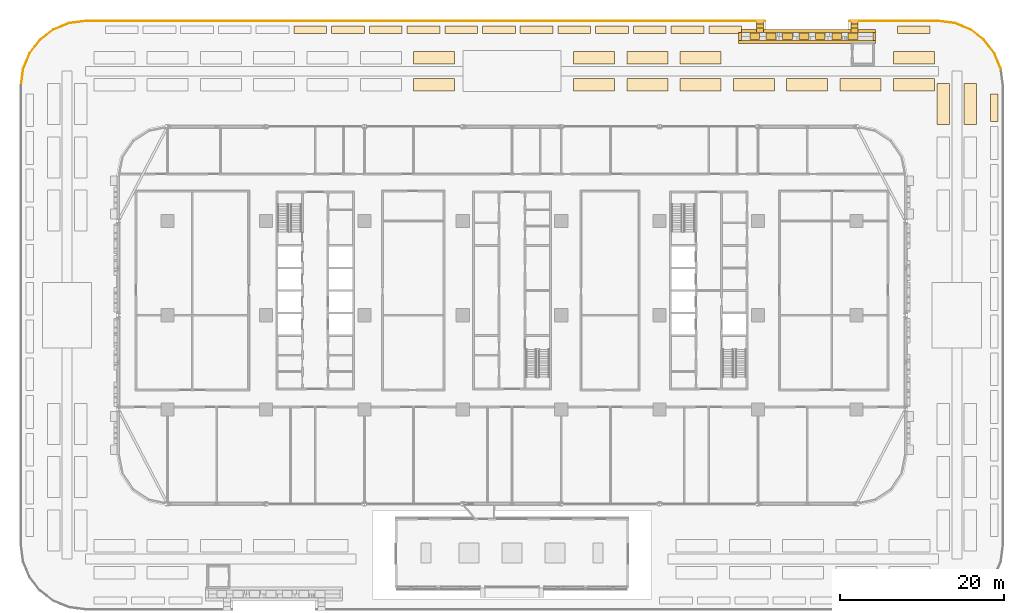
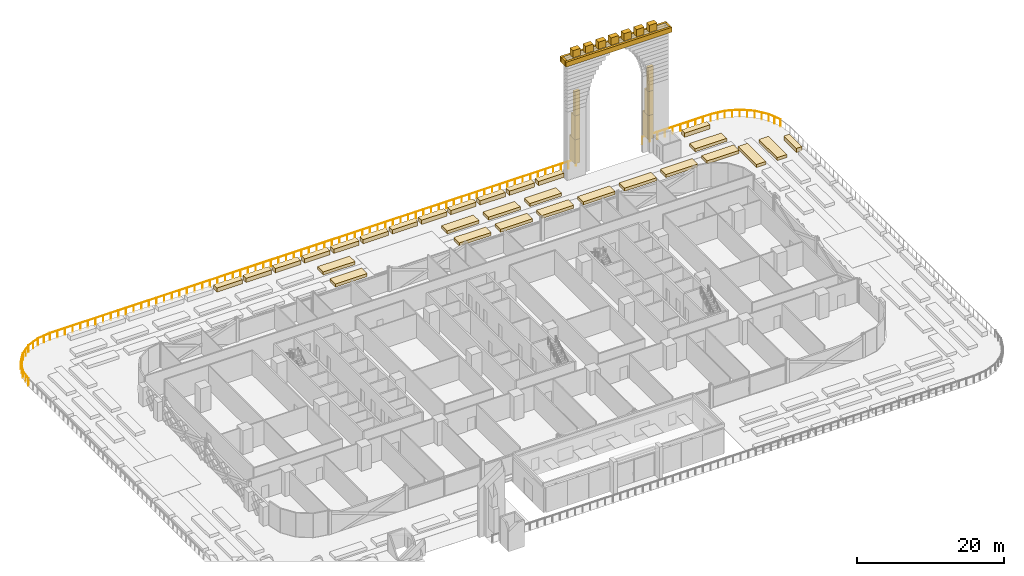
# One storey, part 39 of 39: 46 coverings, 2 railings.
"""IFC4 building model written with IfcOpenShell, lengths in metres."""

import ifcopenshell
import ifcopenshell.guid

model = None  # the IFC model being written
_history = None  # IfcOwnerHistory: only IFC2X3 demands one
_inside = {}  # id of a spatial element -> (the spatial element, [elements in it])
_under = {}  # id of a project, library or spatial element -> (it, [spatial elements below it])
_declared = {}  # id of a project -> (the project, [libraries it declares])
_typed = {}  # id of a type object -> (the type object, [elements of that type])
_made_of = {}  # id of a material, layer set ... -> (it, [elements and type objects made of it])


def new_model(schema):
    """Start an empty IFC model of exactly this schema.

    Asked for "IFC4X3", IfcOpenShell would pick the latest addendum, in which some entities
    have other attributes; the version numbers below select the first issue.
    IFC2X3 requires an IfcOwnerHistory on every rooted entity: one is made here for all.
    """
    global model, _history
    if schema == "IFC4X3":
        model = ifcopenshell.file(schema_version=(4, 3, 0, 0))
    else:
        model = ifcopenshell.file(schema=schema)
    _inside.clear()
    _under.clear()
    _declared.clear()
    _typed.clear()
    _made_of.clear()
    _history = None
    if model.schema == "IFC2X3":
        org = make("IfcOrganization", Name="unknown")
        user = make(
            "IfcPersonAndOrganization",
            ThePerson=make("IfcPerson", FamilyName="unknown"),
            TheOrganization=org,
        )
        app = make(
            "IfcApplication",
            ApplicationDeveloper=org,
            Version="unknown",
            ApplicationFullName="unknown",
            ApplicationIdentifier="unknown",
        )
        _history = make(
            "IfcOwnerHistory",
            OwningUser=user,
            OwningApplication=app,
            ChangeAction="ADDED",
            CreationDate=0,
        )
    return model


def make(cls, **values):
    """One entity of the class cls with the attributes given. An attribute that is None is left unset."""
    return model.create_entity(
        cls, **{name: value for name, value in values.items() if value is not None}
    )


def rooted(cls, **values):
    """An entity with a GlobalId (a new one), such as an element, a storey or a relation."""
    return make(cls, GlobalId=ifcopenshell.guid.new(), OwnerHistory=_history, **values)


def si_unit(unit_type, name, prefix=None):
    """IfcSIUnit, for example si_unit("LENGTHUNIT", "METRE", prefix="MILLI")."""
    return make("IfcSIUnit", UnitType=unit_type, Prefix=prefix, Name=name)


def assignment(units):
    """IfcUnitAssignment: the units of a project."""
    return None if units is None else make("IfcUnitAssignment", Units=units)


def point(xyz):
    """IfcCartesianPoint."""
    return None if xyz is None else make("IfcCartesianPoint", Coordinates=xyz)


def direction(xyz):
    """IfcDirection."""
    return None if xyz is None else make("IfcDirection", DirectionRatios=xyz)


def frame(location, z_axis=None, x_axis=None):
    """IfcAxis2Placement3D, a coordinate frame: its origin and axes. An axis left out is left unset."""
    return make(
        "IfcAxis2Placement3D",
        Location=point(location),
        Axis=direction(z_axis),
        RefDirection=direction(x_axis),
    )


def frame_2d(location, x_axis=None):
    """IfcAxis2Placement2D, a coordinate frame in the plane: its origin and x axis."""
    return make(
        "IfcAxis2Placement2D", Location=point(location), RefDirection=direction(x_axis)
    )


def origin():
    """The frame at (0, 0, 0) with its axes left unset."""
    return frame((0.0, 0.0, 0.0))


def origin_2d():
    """The frame at (0, 0) in the plane with its x axis left unset."""
    return frame_2d((0.0, 0.0))


def place(relative_to, where):
    """IfcLocalPlacement: puts the frame where relative to a parent placement (None: the world)."""
    return make(
        "IfcLocalPlacement", PlacementRelTo=relative_to, RelativePlacement=where
    )


def context(
    kind, dimensions, precision=None, world=None, true_north=None, identifier=None
):
    """IfcGeometricRepresentationContext, for example the 3D "Model" context."""
    return make(
        "IfcGeometricRepresentationContext",
        ContextIdentifier=identifier,
        ContextType=kind,
        CoordinateSpaceDimension=dimensions,
        Precision=precision,
        WorldCoordinateSystem=world,
        TrueNorth=true_north,
    )


def subcontext(parent, identifier, kind, view, scale=None):
    """IfcGeometricRepresentationSubContext, for example "Body" below "Model"."""
    return make(
        "IfcGeometricRepresentationSubContext",
        ContextIdentifier=identifier,
        ContextType=kind,
        ParentContext=parent,
        TargetScale=scale,
        TargetView=view,
    )


def project(units=None, contexts=None):
    """IfcProject with its units and contexts."""
    return rooted(
        "IfcProject",
        Name="project",
        RepresentationContexts=contexts,
        UnitsInContext=assignment(units),
    )


def spatial(cls, under=None, at=None, **own):
    """A site, building, storey or space (cls), placed at a placement, below another one or the project."""
    s = rooted(cls, ObjectPlacement=at, **own)
    if under is not None:
        _under.setdefault(under.id(), (under, []))[1].append(s)
    return s


def profile(cls, at=None, kind="AREA", **sizes):
    """A parametric profile (cls). Its sizes go by their IFC names, for example OverallWidth=200.0."""
    return make(cls, ProfileType=kind, Position=at, **sizes)


def rectangle(**sizes):
    """IfcRectangleProfileDef."""
    return profile("IfcRectangleProfileDef", **sizes)


def circle(**sizes):
    """IfcCircleProfileDef."""
    return profile("IfcCircleProfileDef", **sizes)


def extrude(swept, where, along, depth):
    """IfcExtrudedAreaSolid: the profile swept, set in the frame where, extruded along a direction by depth."""
    return make(
        "IfcExtrudedAreaSolid",
        SweptArea=swept,
        Position=where,
        ExtrudedDirection=direction(along),
        Depth=depth,
    )


def shape(context_of_items, identifier, shape_type, items):
    """IfcShapeRepresentation: the items that make up one representation, for example the "Body"."""
    return make(
        "IfcShapeRepresentation",
        ContextOfItems=context_of_items,
        RepresentationIdentifier=identifier,
        RepresentationType=shape_type,
        Items=items,
    )


def material(Name=None, Category=None):
    """IfcMaterial."""
    return make("IfcMaterial", Name=Name, Category=Category)


def layer(
    of_material, thickness, ventilated=None, Name=None, Category=None, Priority=None
):
    """IfcMaterialLayer: one layer of a wall or slab, of a material (None: an air gap)."""
    return make(
        "IfcMaterialLayer",
        Material=of_material,
        LayerThickness=thickness,
        IsVentilated=ventilated,
        Name=Name,
        Category=Category,
        Priority=Priority,
    )


def layer_set(layers, Name=None):
    """IfcMaterialLayerSet."""
    return make("IfcMaterialLayerSet", MaterialLayers=layers, LayerSetName=Name)


def made_of(thing, what):
    """Note that an element or type object is made of a material, layer set ...; save() writes the relation."""
    if what is not None:
        _made_of.setdefault(what.id(), (what, []))[1].append(thing)
    return thing


def type_object(cls, material=None, **own):
    """A type object (cls), such as IfcWallType, which elements share."""
    return made_of(rooted(cls, **own), material)


def element(
    cls,
    number,
    at=None,
    inside=None,
    cuts=None,
    type_object=None,
    material=None,
    context=None,
    identifier="Body",
    shape_type=None,
    held_by="IfcProductDefinitionShape",
    body=None,
    shapes=None,
    **own,
):
    """One element of the class cls, such as IfcWall. Its Tag is "e" and its number.

    at: its placement. inside: the storey or other place that contains it. cuts: it is an
    opening in that element (IfcRelVoidsElement). A single representation is given by context,
    identifier, shape_type and body (its items); several are given by shapes. held_by: the class
    of the entity that holds the representations. save() writes the other relations.
    """
    e = rooted(cls, Tag="e%d" % number, ObjectPlacement=at, **own)
    if body is not None:
        shapes = [shape(context, identifier, shape_type, body)]
    if shapes is not None:
        e.Representation = make(held_by, Representations=shapes)
    if inside is not None:
        _inside.setdefault(inside.id(), (inside, []))[1].append(e)
    if cuts is not None:
        rooted(
            "IfcRelVoidsElement", RelatingBuildingElement=cuts, RelatedOpeningElement=e
        )
    if type_object is not None:
        _typed.setdefault(type_object.id(), (type_object, []))[1].append(e)
    return made_of(e, material)


def aggregate(whole, parts):
    """IfcRelAggregates: a whole, such as a stair, and the parts it consists of."""
    return rooted("IfcRelAggregates", RelatingObject=whole, RelatedObjects=parts)


def save(model, path):
    """Write the relations noted so far, then the file.

    IfcRelAggregates (storeys below a building ...), IfcRelContainedInSpatialStructure (elements
    in a storey), IfcRelDefinesByType, IfcRelAssociatesMaterial and IfcRelDeclares: one each for
    every whole, place, type object, material and project.
    """
    for whole, parts in _under.values():
        aggregate(whole, parts)
    for where, things in _inside.values():
        rooted(
            "IfcRelContainedInSpatialStructure",
            RelatedElements=things,
            RelatingStructure=where,
        )
    for kind, things in _typed.values():
        rooted("IfcRelDefinesByType", RelatedObjects=things, RelatingType=kind)
    for what, things in _made_of.values():
        rooted("IfcRelAssociatesMaterial", RelatedObjects=things, RelatingMaterial=what)
    for by, libraries in _declared.values():
        rooted("IfcRelDeclares", RelatingContext=by, RelatedDefinitions=libraries)
    model.write(path)


model = new_model("IFC4")

# Units and contexts
model_context = context("Model", 3, precision=1e-05, world=origin(), true_north=direction((0.0, 1.0)))
body_context = subcontext(model_context, "Body", "Model", "MODEL_VIEW")
ifc_project = project(units=[si_unit("LENGTHUNIT", "METRE"), si_unit("AREAUNIT", "SQUARE_METRE"), si_unit("VOLUMEUNIT", "CUBIC_METRE"), si_unit("PLANEANGLEUNIT", "RADIAN"), si_unit("MASSUNIT", "GRAM", prefix="KILO")], contexts=[model_context])

# Site, building, storey
site_placement = place(None, origin())
site = spatial("IfcSite", under=ifc_project, at=site_placement, CompositionType="ELEMENT")
building_placement = place(site_placement, origin())
building = spatial("IfcBuilding", under=site, at=building_placement, Name="Mahtab Terrace Research Tower", CompositionType="ELEMENT")
storey_placement = place(building_placement, frame((0.0, 0.0, 7.199951171875)))
storey = spatial("IfcBuildingStorey", under=building, at=storey_placement, Name="L01", CompositionType="ELEMENT", Elevation=7.199951171875)

# Coverings
ifc_material_1 = material(Name="Planting soil and shrubs")
ifc_layer_1 = layer(ifc_material_1, 0.1201171875)
ifc_layer_set_1 = layer_set([ifc_layer_1], Name="Planter")
covering_type_1 = type_object("IfcCoveringType", Name="Planter", PredefinedType="USERDEFINED", material=ifc_layer_set_1)
for number, where, z_axis, x_axis, name in (
    (1, (49.0, 34.800048828125, 0.0302734375), (0.0, 0.0, 1.0), (-1.0, 0.0, 0.0), "PLANTER garden hedge"),
    (2, (26.0, 34.800048828125, 0.0302734375), (0.0, 0.0, 1.0), (-1.0, 0.0, 0.0), "PLANTER garden hedge"),
    (3, (21.39990234375, 34.800048828125, 0.0302734375), (0.0, 0.0, 1.0), (-1.0, 0.0, 0.0), "PLANTER garden hedge"),
    (4, (16.800048828125, 34.800048828125, 0.0302734375), (0.0, 0.0, 1.0), (-1.0, 0.0, 0.0), "PLANTER garden hedge"),
    (5, (12.199951171875, 34.800048828125, 0.0302734375), (0.0, 0.0, 1.0), (-1.0, 0.0, 0.0), "PLANTER garden hedge"),
    (6, (7.60009765625, 34.800048828125, 0.0302734375), (0.0, 0.0, 1.0), (-1.0, 0.0, 0.0), "PLANTER garden hedge"),
    (7, (3.0, 34.800048828125, 0.0302734375), (0.0, 0.0, 1.0), (-1.0, 0.0, 0.0), "PLANTER garden hedge"),
    (8, (-1.60009765625, 34.800048828125, 0.0302734375), (0.0, 0.0, 1.0), (-1.0, 0.0, 0.0), "PLANTER garden hedge"),
    (9, (-6.199951171875, 34.800048828125, 0.0302734375), (0.0, 0.0, 1.0), (-1.0, 0.0, 0.0), "PLANTER garden hedge"),
    (10, (-10.800048828125, 34.800048828125, 0.0302734375), (0.0, 0.0, 1.0), (-1.0, 0.0, 0.0), "PLANTER garden hedge"),
    (11, (-15.39990234375, 34.800048828125, 0.0302734375), (0.0, 0.0, 1.0), (-1.0, 0.0, 0.0), "PLANTER garden hedge"),
    (12, (-20.0, 34.800048828125, 0.0302734375), (0.0, 0.0, 1.0), (-1.0, 0.0, 0.0), "PLANTER garden hedge"),
    (13, (-24.60009765625, 34.800048828125, 0.0302734375), (0.0, 0.0, 1.0), (-1.0, 0.0, 0.0), "PLANTER garden hedge"),
):
    element("IfcCovering", number, at=place(storey_placement, frame(where, z_axis=z_axis, x_axis=x_axis)), inside=storey, type_object=covering_type_1, Name=name, ObjectType="PLANTER", PredefinedType="USERDEFINED", context=body_context, shape_type="SweptSolid", body=[
        extrude(rectangle(XDim=4.0, YDim=0.89990234375, at=origin_2d()), origin(), (0.0, 0.0, 1.0), 0.699951171875),
    ])
covering_1_placement = place(storey_placement, frame((58.800048828125, 25.300048828125, 0.0302734375), z_axis=(0.0, 0.0, 1.0), x_axis=(0.0, 1.0, 0.0)))
element("IfcCovering", 14, at=covering_1_placement, inside=storey, type_object=covering_type_1, Name="PLANTER garden hedge", ObjectType="PLANTER", PredefinedType="USERDEFINED", context=body_context, shape_type="SweptSolid", body=[
    extrude(rectangle(XDim=3.39990234375, YDim=0.89990234375, at=origin_2d()), origin(), (0.0, 0.0, 1.0), 0.699951171875),
])
for number, where, z_axis, x_axis, name in (
    (15, (-9.5, 28.10009765625, 0.030029296875), (0.0, 0.0, 1.0), (1.0, 0.0, 0.0), "PLANTER garden bed"),
    (16, (-9.5, 31.39990234375, 0.030029296875), (0.0, 0.0, 1.0), (1.0, 0.0, 0.0), "PLANTER garden bed"),
    (17, (10.0, 28.10009765625, 0.030029296875), (0.0, 0.0, 1.0), (1.0, 0.0, 0.0), "PLANTER garden bed"),
    (18, (10.0, 31.39990234375, 0.030029296875), (0.0, 0.0, 1.0), (1.0, 0.0, 0.0), "PLANTER garden bed"),
    (19, (16.5, 28.10009765625, 0.030029296875), (0.0, 0.0, 1.0), (1.0, 0.0, 0.0), "PLANTER garden bed"),
    (20, (16.5, 31.39990234375, 0.030029296875), (0.0, 0.0, 1.0), (1.0, 0.0, 0.0), "PLANTER garden bed"),
    (21, (23.0, 28.10009765625, 0.030029296875), (0.0, 0.0, 1.0), (1.0, 0.0, 0.0), "PLANTER garden bed"),
    (22, (23.0, 31.39990234375, 0.030029296875), (0.0, 0.0, 1.0), (1.0, 0.0, 0.0), "PLANTER garden bed"),
    (23, (29.5, 28.10009765625, 0.030029296875), (0.0, 0.0, 1.0), (1.0, 0.0, 0.0), "PLANTER garden bed"),
    (24, (36.0, 28.10009765625, 0.030029296875), (0.0, 0.0, 1.0), (1.0, 0.0, 0.0), "PLANTER garden bed"),
    (25, (42.5, 28.10009765625, 0.030029296875), (0.0, 0.0, 1.0), (1.0, 0.0, 0.0), "PLANTER garden bed"),
    (26, (49.0, 28.10009765625, 0.030029296875), (0.0, 0.0, 1.0), (1.0, 0.0, 0.0), "PLANTER garden bed"),
    (27, (49.0, 31.39990234375, 0.030029296875), (0.0, 0.0, 1.0), (1.0, 0.0, 0.0), "PLANTER garden bed"),
):
    element("IfcCovering", number, at=place(storey_placement, frame(where, z_axis=z_axis, x_axis=x_axis)), inside=storey, type_object=covering_type_1, Name=name, ObjectType="PLANTER", PredefinedType="USERDEFINED", context=body_context, shape_type="SweptSolid", body=[
        extrude(rectangle(XDim=5.0, YDim=1.5, at=origin_2d()), origin(), (0.0, 0.0, 1.0), 0.5),
    ])
for number, where, z_axis, x_axis, name in (
    (28, (52.60009765625, 25.75, 0.030029296875), (0.0, 0.0, 1.0), (1.0, 0.0, 0.0), "PLANTER garden bed"),
    (29, (55.89990234375, 25.75, 0.030029296875), (0.0, 0.0, 1.0), (1.0, 0.0, 0.0), "PLANTER garden bed"),
):
    element("IfcCovering", number, at=place(storey_placement, frame(where, z_axis=z_axis, x_axis=x_axis)), inside=storey, type_object=covering_type_1, Name=name, ObjectType="PLANTER", PredefinedType="USERDEFINED", context=body_context, shape_type="SweptSolid", body=[
        extrude(rectangle(XDim=1.5, YDim=5.0, at=origin_2d()), origin(), (0.0, 0.0, 1.0), 0.5),
    ])
ifc_material_2 = material(Name="Glazed ceramic tile cladding", Category="masonry")
ifc_layer_2 = layer(ifc_material_2, 0.39990234375)
ifc_layer_set_2 = layer_set([ifc_layer_2], Name="Portal cornice and crest cladding 400")
covering_type_2 = type_object("IfcCoveringType", Name="Portal cornice and crest cladding 400", PredefinedType="CLADDING", material=ifc_layer_set_2)
for number, where, z_axis, x_axis, name in (
    (30, (36.0, 33.324951171875, 19.2001953125), (0.0, 0.0, 1.0), (1.0, 0.0, 0.0), "Portal cornice PS2 in"),
    (31, (36.0, 34.675048828125, 19.2001953125), (0.0, 0.0, 1.0), (1.0, 0.0, 0.0), "Portal cornice PS2 out"),
):
    element("IfcCovering", number, at=place(storey_placement, frame(where, z_axis=z_axis, x_axis=x_axis)), inside=storey, type_object=covering_type_2, Name=name, PredefinedType="CLADDING", context=body_context, shape_type="SweptSolid", body=[
        extrude(rectangle(XDim=16.699951171875, YDim=0.35009765625, at=origin_2d()), origin(), (0.0, 0.0, 1.0), 0.800048828125),
    ])
for number, where, z_axis, x_axis, name in (
    (32, (27.824951171875, 34.0, 19.2001953125), (0.0, 0.0, 1.0), (1.0, 0.0, 0.0), "Portal cornice PS2 w"),
    (33, (44.175048828125, 34.0, 19.2001953125), (0.0, 0.0, 1.0), (1.0, 0.0, 0.0), "Portal cornice PS2 e"),
):
    element("IfcCovering", number, at=place(storey_placement, frame(where, z_axis=z_axis, x_axis=x_axis)), inside=storey, type_object=covering_type_2, Name=name, PredefinedType="CLADDING", context=body_context, shape_type="SweptSolid", body=[
        extrude(rectangle(XDim=0.35009765625, YDim=1.0, at=origin_2d()), origin(), (0.0, 0.0, 1.0), 0.800048828125),
    ])
for number, where, z_axis, x_axis, name in (
    (34, (29.60009765625, 34.0, 20.0), (0.0, 0.0, 1.0), (1.0, 0.0, 0.0), "Portal merlon PS2 1"),
    (35, (31.60009765625, 34.0, 20.0), (0.0, 0.0, 1.0), (1.0, 0.0, 0.0), "Portal merlon PS2 2"),
    (36, (33.60009765625, 34.0, 20.0), (0.0, 0.0, 1.0), (1.0, 0.0, 0.0), "Portal merlon PS2 3"),
    (37, (35.60009765625, 34.0, 20.0), (0.0, 0.0, 1.0), (1.0, 0.0, 0.0), "Portal merlon PS2 4"),
    (38, (37.60009765625, 34.0, 20.0), (0.0, 0.0, 1.0), (1.0, 0.0, 0.0), "Portal merlon PS2 5"),
    (39, (39.60009765625, 34.0, 20.0), (0.0, 0.0, 1.0), (1.0, 0.0, 0.0), "Portal merlon PS2 6"),
    (40, (41.60009765625, 34.0, 20.0), (0.0, 0.0, 1.0), (1.0, 0.0, 0.0), "Portal merlon PS2 7"),
):
    element("IfcCovering", number, at=place(storey_placement, frame(where, z_axis=z_axis, x_axis=x_axis)), inside=storey, type_object=covering_type_2, Name=name, PredefinedType="CLADDING", context=body_context, shape_type="SweptSolid", body=[
        extrude(rectangle(XDim=1.199951171875, YDim=0.800048828125, at=origin_2d()), origin(), (0.0, 0.0, 1.0), 1.199951171875),
    ])
ifc_layer_3 = layer(ifc_material_2, 0.85009765625)
ifc_layer_set_3 = layer_set([ifc_layer_3], Name="Stair cheek cladding 850")
covering_type_3 = type_object("IfcCoveringType", Name="Stair cheek cladding 850", PredefinedType="CLADDING", material=ifc_layer_set_3)
covering_2_placement = place(storey_placement, frame((30.22509765625, 35.25, 1.5), z_axis=(0.0, 0.0, 1.0), x_axis=(1.0, 0.0, 0.0)))
element("IfcCovering", 41, at=covering_2_placement, inside=storey, type_object=covering_type_3, Name="Portal shoulder PS2W1", PredefinedType="CLADDING", context=body_context, shape_type="SweptSolid", body=[
    extrude(rectangle(XDim=0.85009765625, YDim=1.5, at=origin_2d()), origin(), (0.0, 0.0, 1.0), 4.0),
])
covering_3_placement = place(storey_placement, frame((30.22509765625, 35.0, 5.5), z_axis=(0.0, 0.0, 1.0), x_axis=(1.0, 0.0, 0.0)))
element("IfcCovering", 42, at=covering_3_placement, inside=storey, type_object=covering_type_3, Name="Portal shoulder PS2W2", PredefinedType="CLADDING", context=body_context, shape_type="SweptSolid", body=[
    extrude(rectangle(XDim=0.85009765625, YDim=1.0, at=origin_2d()), origin(), (0.0, 0.0, 1.0), 4.0),
])
covering_4_placement = place(storey_placement, frame((30.22509765625, 34.75, 9.5), z_axis=(0.0, 0.0, 1.0), x_axis=(1.0, 0.0, 0.0)))
element("IfcCovering", 43, at=covering_4_placement, inside=storey, type_object=covering_type_3, Name="Portal shoulder PS2W3", PredefinedType="CLADDING", context=body_context, shape_type="SweptSolid", body=[
    extrude(rectangle(XDim=0.85009765625, YDim=0.5, at=origin_2d()), origin(), (0.0, 0.0, 1.0), 4.0),
])
covering_5_placement = place(storey_placement, frame((41.77490234375, 35.25, 1.5), z_axis=(0.0, 0.0, 1.0), x_axis=(1.0, 0.0, 0.0)))
element("IfcCovering", 44, at=covering_5_placement, inside=storey, type_object=covering_type_3, Name="Portal shoulder PS2E1", PredefinedType="CLADDING", context=body_context, shape_type="SweptSolid", body=[
    extrude(rectangle(XDim=0.85009765625, YDim=1.5, at=origin_2d()), origin(), (0.0, 0.0, 1.0), 4.0),
])
covering_6_placement = place(storey_placement, frame((41.77490234375, 35.0, 5.5), z_axis=(0.0, 0.0, 1.0), x_axis=(1.0, 0.0, 0.0)))
element("IfcCovering", 45, at=covering_6_placement, inside=storey, type_object=covering_type_3, Name="Portal shoulder PS2E2", PredefinedType="CLADDING", context=body_context, shape_type="SweptSolid", body=[
    extrude(rectangle(XDim=0.85009765625, YDim=1.0, at=origin_2d()), origin(), (0.0, 0.0, 1.0), 4.0),
])
covering_7_placement = place(storey_placement, frame((41.77490234375, 34.75, 9.5), z_axis=(0.0, 0.0, 1.0), x_axis=(1.0, 0.0, 0.0)))
element("IfcCovering", 46, at=covering_7_placement, inside=storey, type_object=covering_type_3, Name="Portal shoulder PS2E3", PredefinedType="CLADDING", context=body_context, shape_type="SweptSolid", body=[
    extrude(rectangle(XDim=0.85009765625, YDim=0.5, at=origin_2d()), origin(), (0.0, 0.0, 1.0), 4.0),
])

# Railings
ifc_material_3 = material(Name="Black anodised aluminium", Category="aluminium")
railing_type = type_object("IfcRailingType", Name="Terrace guard 1200", PredefinedType="GUARDRAIL", material=ifc_material_3)
railing_1_placement = place(storey_placement, frame((-59.8798828125, 27.991943359375, 0.030029296875)))
element("IfcRailing", 47, at=railing_1_placement, inside=storey, type_object=railing_type, Name="Garden deck guard 5", PredefinedType="GUARDRAIL", context=body_context, shape_type="SweptSolid", body=[
    extrude(circle(Radius=0.030029296875, at=origin_2d()), frame((0.0, 0.0, 1.169921875), z_axis=(0.130592082946, 0.991436184468, 0.0), x_axis=(-0.991436184468, 0.130592082946, 0.0)), (0.0, 0.0, 1.0), 2.065673828125),
    extrude(circle(Radius=0.030029296875, at=origin_2d()), frame((0.269775390625, 2.048095703125, 1.169921875), z_axis=(0.382911202926, 0.923785153958, 0.0), x_axis=(-0.923785153958, 0.382911202926, 0.0)), (0.0, 0.0, 1.0), 2.0556640625),
    extrude(circle(Radius=0.030029296875, at=origin_2d()), frame((1.056884765625, 3.947021484375, 1.169921875), z_axis=(0.608643320448, 0.793443954211, 0.0), x_axis=(-0.793443954211, 0.608643320448, 0.0)), (0.0, 0.0, 1.0), 2.056884765625),
    extrude(circle(Radius=0.030029296875, at=origin_2d()), frame((2.308837890625, 5.5791015625, 1.169921875), z_axis=(0.793443954211, 0.608643320448, 0.0), x_axis=(-0.608643320448, 0.793443954211, 0.0)), (0.0, 0.0, 1.0), 2.056884765625),
    extrude(circle(Radius=0.030029296875, at=origin_2d()), frame((3.94091796875, 6.8310546875, 1.169921875), z_axis=(0.923785153958, 0.382911202926, 0.0), x_axis=(-0.382911202926, 0.923785153958, 0.0)), (0.0, 0.0, 1.0), 2.0556640625),
    extrude(circle(Radius=0.030029296875, at=origin_2d()), frame((5.83984375, 7.6181640625, 1.169921875), z_axis=(0.991436184468, 0.130592082946, 0.0), x_axis=(-0.130592082946, 0.991436184468, 0.0)), (0.0, 0.0, 1.0), 2.065673828125),
    extrude(circle(Radius=0.030029296875, at=origin_2d()), frame((7.887939453125, 7.887939453125, 1.169921875), z_axis=(1.0, 0.0, 0.0), x_axis=(0.0, 1.0, 0.0)), (0.0, 0.0, 1.0), 82.7919921875),
    extrude(circle(Radius=0.02490234375, at=origin_2d()), origin(), (0.0, 0.0, 1.0), 1.139892578125),
    extrude(circle(Radius=0.02490234375, at=origin_2d()), frame((0.134765625, 1.02392578125, 0.0)), (0.0, 0.0, 1.0), 1.139892578125),
    extrude(circle(Radius=0.02490234375, at=origin_2d()), frame((0.269775390625, 2.048095703125, 0.0)), (0.0, 0.0, 1.0), 1.139892578125),
    extrude(circle(Radius=0.02490234375, at=origin_2d()), frame((0.663330078125, 2.99755859375, 0.0)), (0.0, 0.0, 1.0), 1.139892578125),
    extrude(circle(Radius=0.02490234375, at=origin_2d()), frame((1.056884765625, 3.947021484375, 0.0)), (0.0, 0.0, 1.0), 1.139892578125),
    extrude(circle(Radius=0.02490234375, at=origin_2d()), frame((1.682861328125, 4.76318359375, 0.0)), (0.0, 0.0, 1.0), 1.139892578125),
    extrude(circle(Radius=0.02490234375, at=origin_2d()), frame((2.308837890625, 5.5791015625, 0.0)), (0.0, 0.0, 1.0), 1.139892578125),
    extrude(circle(Radius=0.02490234375, at=origin_2d()), frame((3.125, 6.205078125, 0.0)), (0.0, 0.0, 1.0), 1.139892578125),
    extrude(circle(Radius=0.02490234375, at=origin_2d()), frame((3.94091796875, 6.8310546875, 0.0)), (0.0, 0.0, 1.0), 1.139892578125),
    extrude(circle(Radius=0.02490234375, at=origin_2d()), frame((4.890380859375, 7.224609375, 0.0)), (0.0, 0.0, 1.0), 1.139892578125),
    extrude(circle(Radius=0.02490234375, at=origin_2d()), frame((5.83984375, 7.6181640625, 0.0)), (0.0, 0.0, 1.0), 1.139892578125),
    extrude(circle(Radius=0.02490234375, at=origin_2d()), frame((6.86376953125, 7.7529296875, 0.0)), (0.0, 0.0, 1.0), 1.139892578125),
    extrude(circle(Radius=0.02490234375, at=origin_2d()), frame((7.887939453125, 7.887939453125, 0.0)), (0.0, 0.0, 1.0), 1.139892578125),
    extrude(circle(Radius=0.02490234375, at=origin_2d()), frame((9.087890625, 7.887939453125, 0.0)), (0.0, 0.0, 1.0), 1.139892578125),
    extrude(circle(Radius=0.02490234375, at=origin_2d()), frame((10.28759765625, 7.887939453125, 0.0)), (0.0, 0.0, 1.0), 1.139892578125),
    extrude(circle(Radius=0.02490234375, at=origin_2d()), frame((11.487548828125, 7.887939453125, 0.0)), (0.0, 0.0, 1.0), 1.139892578125),
    extrude(circle(Radius=0.02490234375, at=origin_2d()), frame((12.6875, 7.887939453125, 0.0)), (0.0, 0.0, 1.0), 1.139892578125),
    extrude(circle(Radius=0.02490234375, at=origin_2d()), frame((13.887451171875, 7.887939453125, 0.0)), (0.0, 0.0, 1.0), 1.139892578125),
    extrude(circle(Radius=0.02490234375, at=origin_2d()), frame((15.087158203125, 7.887939453125, 0.0)), (0.0, 0.0, 1.0), 1.139892578125),
    extrude(circle(Radius=0.02490234375, at=origin_2d()), frame((16.287109375, 7.887939453125, 0.0)), (0.0, 0.0, 1.0), 1.139892578125),
    extrude(circle(Radius=0.02490234375, at=origin_2d()), frame((17.487060546875, 7.887939453125, 0.0)), (0.0, 0.0, 1.0), 1.139892578125),
    extrude(circle(Radius=0.02490234375, at=origin_2d()), frame((18.68701171875, 7.887939453125, 0.0)), (0.0, 0.0, 1.0), 1.139892578125),
    extrude(circle(Radius=0.02490234375, at=origin_2d()), frame((19.88671875, 7.887939453125, 0.0)), (0.0, 0.0, 1.0), 1.139892578125),
    extrude(circle(Radius=0.02490234375, at=origin_2d()), frame((21.086669921875, 7.887939453125, 0.0)), (0.0, 0.0, 1.0), 1.139892578125),
    extrude(circle(Radius=0.02490234375, at=origin_2d()), frame((22.28662109375, 7.887939453125, 0.0)), (0.0, 0.0, 1.0), 1.139892578125),
    extrude(circle(Radius=0.02490234375, at=origin_2d()), frame((23.486328125, 7.887939453125, 0.0)), (0.0, 0.0, 1.0), 1.139892578125),
    extrude(circle(Radius=0.02490234375, at=origin_2d()), frame((24.686279296875, 7.887939453125, 0.0)), (0.0, 0.0, 1.0), 1.139892578125),
    extrude(circle(Radius=0.02490234375, at=origin_2d()), frame((25.88623046875, 7.887939453125, 0.0)), (0.0, 0.0, 1.0), 1.139892578125),
    extrude(circle(Radius=0.02490234375, at=origin_2d()), frame((27.086181640625, 7.887939453125, 0.0)), (0.0, 0.0, 1.0), 1.139892578125),
    extrude(circle(Radius=0.02490234375, at=origin_2d()), frame((28.285888671875, 7.887939453125, 0.0)), (0.0, 0.0, 1.0), 1.139892578125),
    extrude(circle(Radius=0.02490234375, at=origin_2d()), frame((29.48583984375, 7.887939453125, 0.0)), (0.0, 0.0, 1.0), 1.139892578125),
    extrude(circle(Radius=0.02490234375, at=origin_2d()), frame((30.685791015625, 7.887939453125, 0.0)), (0.0, 0.0, 1.0), 1.139892578125),
    extrude(circle(Radius=0.02490234375, at=origin_2d()), frame((31.885498046875, 7.887939453125, 0.0)), (0.0, 0.0, 1.0), 1.139892578125),
    extrude(circle(Radius=0.02490234375, at=origin_2d()), frame((33.08544921875, 7.887939453125, 0.0)), (0.0, 0.0, 1.0), 1.139892578125),
    extrude(circle(Radius=0.02490234375, at=origin_2d()), frame((34.285400390625, 7.887939453125, 0.0)), (0.0, 0.0, 1.0), 1.139892578125),
    extrude(circle(Radius=0.02490234375, at=origin_2d()), frame((35.4853515625, 7.887939453125, 0.0)), (0.0, 0.0, 1.0), 1.139892578125),
    extrude(circle(Radius=0.02490234375, at=origin_2d()), frame((36.68505859375, 7.887939453125, 0.0)), (0.0, 0.0, 1.0), 1.139892578125),
    extrude(circle(Radius=0.02490234375, at=origin_2d()), frame((37.885009765625, 7.887939453125, 0.0)), (0.0, 0.0, 1.0), 1.139892578125),
    extrude(circle(Radius=0.02490234375, at=origin_2d()), frame((39.0849609375, 7.887939453125, 0.0)), (0.0, 0.0, 1.0), 1.139892578125),
    extrude(circle(Radius=0.02490234375, at=origin_2d()), frame((40.284912109375, 7.887939453125, 0.0)), (0.0, 0.0, 1.0), 1.139892578125),
    extrude(circle(Radius=0.02490234375, at=origin_2d()), frame((41.484619140625, 7.887939453125, 0.0)), (0.0, 0.0, 1.0), 1.139892578125),
    extrude(circle(Radius=0.02490234375, at=origin_2d()), frame((42.6845703125, 7.887939453125, 0.0)), (0.0, 0.0, 1.0), 1.139892578125),
    extrude(circle(Radius=0.02490234375, at=origin_2d()), frame((43.884521484375, 7.887939453125, 0.0)), (0.0, 0.0, 1.0), 1.139892578125),
    extrude(circle(Radius=0.02490234375, at=origin_2d()), frame((45.084228515625, 7.887939453125, 0.0)), (0.0, 0.0, 1.0), 1.139892578125),
    extrude(circle(Radius=0.02490234375, at=origin_2d()), frame((46.2841796875, 7.887939453125, 0.0)), (0.0, 0.0, 1.0), 1.139892578125),
    extrude(circle(Radius=0.02490234375, at=origin_2d()), frame((47.484130859375, 7.887939453125, 0.0)), (0.0, 0.0, 1.0), 1.139892578125),
    extrude(circle(Radius=0.02490234375, at=origin_2d()), frame((48.68408203125, 7.887939453125, 0.0)), (0.0, 0.0, 1.0), 1.139892578125),
    extrude(circle(Radius=0.02490234375, at=origin_2d()), frame((49.8837890625, 7.887939453125, 0.0)), (0.0, 0.0, 1.0), 1.139892578125),
    extrude(circle(Radius=0.02490234375, at=origin_2d()), frame((51.083740234375, 7.887939453125, 0.0)), (0.0, 0.0, 1.0), 1.139892578125),
    extrude(circle(Radius=0.02490234375, at=origin_2d()), frame((52.28369140625, 7.887939453125, 0.0)), (0.0, 0.0, 1.0), 1.139892578125),
    extrude(circle(Radius=0.02490234375, at=origin_2d()), frame((53.483642578125, 7.887939453125, 0.0)), (0.0, 0.0, 1.0), 1.139892578125),
    extrude(circle(Radius=0.02490234375, at=origin_2d()), frame((54.683349609375, 7.887939453125, 0.0)), (0.0, 0.0, 1.0), 1.139892578125),
    extrude(circle(Radius=0.02490234375, at=origin_2d()), frame((55.88330078125, 7.887939453125, 0.0)), (0.0, 0.0, 1.0), 1.139892578125),
    extrude(circle(Radius=0.02490234375, at=origin_2d()), frame((57.083251953125, 7.887939453125, 0.0)), (0.0, 0.0, 1.0), 1.139892578125),
    extrude(circle(Radius=0.02490234375, at=origin_2d()), frame((58.282958984375, 7.887939453125, 0.0)), (0.0, 0.0, 1.0), 1.139892578125),
    extrude(circle(Radius=0.02490234375, at=origin_2d()), frame((59.48291015625, 7.887939453125, 0.0)), (0.0, 0.0, 1.0), 1.139892578125),
    extrude(circle(Radius=0.02490234375, at=origin_2d()), frame((60.682861328125, 7.887939453125, 0.0)), (0.0, 0.0, 1.0), 1.139892578125),
    extrude(circle(Radius=0.02490234375, at=origin_2d()), frame((61.8828125, 7.887939453125, 0.0)), (0.0, 0.0, 1.0), 1.139892578125),
    extrude(circle(Radius=0.02490234375, at=origin_2d()), frame((63.08251953125, 7.887939453125, 0.0)), (0.0, 0.0, 1.0), 1.139892578125),
    extrude(circle(Radius=0.02490234375, at=origin_2d()), frame((64.282470703125, 7.887939453125, 0.0)), (0.0, 0.0, 1.0), 1.139892578125),
    extrude(circle(Radius=0.02490234375, at=origin_2d()), frame((65.482421875, 7.887939453125, 0.0)), (0.0, 0.0, 1.0), 1.139892578125),
    extrude(circle(Radius=0.02490234375, at=origin_2d()), frame((66.682373046875, 7.887939453125, 0.0)), (0.0, 0.0, 1.0), 1.139892578125),
    extrude(circle(Radius=0.02490234375, at=origin_2d()), frame((67.882080078125, 7.887939453125, 0.0)), (0.0, 0.0, 1.0), 1.139892578125),
    extrude(circle(Radius=0.02490234375, at=origin_2d()), frame((69.08203125, 7.887939453125, 0.0)), (0.0, 0.0, 1.0), 1.139892578125),
    extrude(circle(Radius=0.02490234375, at=origin_2d()), frame((70.281982421875, 7.887939453125, 0.0)), (0.0, 0.0, 1.0), 1.139892578125),
    extrude(circle(Radius=0.02490234375, at=origin_2d()), frame((71.481689453125, 7.887939453125, 0.0)), (0.0, 0.0, 1.0), 1.139892578125),
    extrude(circle(Radius=0.02490234375, at=origin_2d()), frame((72.681640625, 7.887939453125, 0.0)), (0.0, 0.0, 1.0), 1.139892578125),
    extrude(circle(Radius=0.02490234375, at=origin_2d()), frame((73.881591796875, 7.887939453125, 0.0)), (0.0, 0.0, 1.0), 1.139892578125),
    extrude(circle(Radius=0.02490234375, at=origin_2d()), frame((75.08154296875, 7.887939453125, 0.0)), (0.0, 0.0, 1.0), 1.139892578125),
    extrude(circle(Radius=0.02490234375, at=origin_2d()), frame((76.28125, 7.887939453125, 0.0)), (0.0, 0.0, 1.0), 1.139892578125),
    extrude(circle(Radius=0.02490234375, at=origin_2d()), frame((77.481201171875, 7.887939453125, 0.0)), (0.0, 0.0, 1.0), 1.139892578125),
    extrude(circle(Radius=0.02490234375, at=origin_2d()), frame((78.68115234375, 7.887939453125, 0.0)), (0.0, 0.0, 1.0), 1.139892578125),
    extrude(circle(Radius=0.02490234375, at=origin_2d()), frame((79.880859375, 7.887939453125, 0.0)), (0.0, 0.0, 1.0), 1.139892578125),
    extrude(circle(Radius=0.02490234375, at=origin_2d()), frame((81.080810546875, 7.887939453125, 0.0)), (0.0, 0.0, 1.0), 1.139892578125),
    extrude(circle(Radius=0.02490234375, at=origin_2d()), frame((82.28076171875, 7.887939453125, 0.0)), (0.0, 0.0, 1.0), 1.139892578125),
    extrude(circle(Radius=0.02490234375, at=origin_2d()), frame((83.480712890625, 7.887939453125, 0.0)), (0.0, 0.0, 1.0), 1.139892578125),
    extrude(circle(Radius=0.02490234375, at=origin_2d()), frame((84.680419921875, 7.887939453125, 0.0)), (0.0, 0.0, 1.0), 1.139892578125),
    extrude(circle(Radius=0.02490234375, at=origin_2d()), frame((85.88037109375, 7.887939453125, 0.0)), (0.0, 0.0, 1.0), 1.139892578125),
    extrude(circle(Radius=0.02490234375, at=origin_2d()), frame((87.080322265625, 7.887939453125, 0.0)), (0.0, 0.0, 1.0), 1.139892578125),
    extrude(circle(Radius=0.02490234375, at=origin_2d()), frame((88.2802734375, 7.887939453125, 0.0)), (0.0, 0.0, 1.0), 1.139892578125),
    extrude(circle(Radius=0.02490234375, at=origin_2d()), frame((89.47998046875, 7.887939453125, 0.0)), (0.0, 0.0, 1.0), 1.139892578125),
    extrude(circle(Radius=0.02490234375, at=origin_2d()), frame((90.679931640625, 7.887939453125, 0.0)), (0.0, 0.0, 1.0), 1.139892578125),
])
railing_2_placement = place(storey_placement, frame((41.199951171875, 35.8798828125, 0.030029296875)))
element("IfcRailing", 48, at=railing_2_placement, inside=storey, type_object=railing_type, Name="Garden deck guard 6", PredefinedType="GUARDRAIL", context=body_context, shape_type="SweptSolid", body=[
    extrude(circle(Radius=0.030029296875, at=origin_2d()), frame((0.0, 0.0, 1.169921875), z_axis=(1.0, 0.0, 0.0), x_axis=(0.0, 1.0, 0.0)), (0.0, 0.0, 1.0), 10.7919921875),
    extrude(circle(Radius=0.030029296875, at=origin_2d()), frame((10.7919921875, 0.0, 1.169921875), z_axis=(0.991436184468, -0.130592082946, 0.0), x_axis=(0.130592082946, 0.991436184468, 0.0)), (0.0, 0.0, 1.0), 2.065673828125),
    extrude(circle(Radius=0.030029296875, at=origin_2d()), frame((12.840087890625, -0.269775390625, 1.169921875), z_axis=(0.923785153958, -0.382911202926, 0.0), x_axis=(0.382911202926, 0.923785153958, 0.0)), (0.0, 0.0, 1.0), 2.0556640625),
    extrude(circle(Radius=0.030029296875, at=origin_2d()), frame((14.739013671875, -1.056884765625, 1.169921875), z_axis=(0.793443954211, -0.608643320448, 0.0), x_axis=(0.608643320448, 0.793443954211, 0.0)), (0.0, 0.0, 1.0), 2.056884765625),
    extrude(circle(Radius=0.030029296875, at=origin_2d()), frame((16.37109375, -2.308837890625, 1.169921875), z_axis=(0.608643320448, -0.793443954211, 0.0), x_axis=(0.793443954211, 0.608643320448, 0.0)), (0.0, 0.0, 1.0), 2.056884765625),
    extrude(circle(Radius=0.030029296875, at=origin_2d()), frame((17.623046875, -3.94091796875, 1.169921875), z_axis=(0.382911202926, -0.923785153958, 0.0), x_axis=(0.923785153958, 0.382911202926, 0.0)), (0.0, 0.0, 1.0), 2.0556640625),
    extrude(circle(Radius=0.02490234375, at=origin_2d()), origin(), (0.0, 0.0, 1.0), 1.139892578125),
    extrude(circle(Radius=0.02490234375, at=origin_2d()), frame((1.19921875, 0.0, 0.0)), (0.0, 0.0, 1.0), 1.139892578125),
    extrude(circle(Radius=0.02490234375, at=origin_2d()), frame((2.398193359375, 0.0, 0.0)), (0.0, 0.0, 1.0), 1.139892578125),
    extrude(circle(Radius=0.02490234375, at=origin_2d()), frame((3.597412109375, 0.0, 0.0)), (0.0, 0.0, 1.0), 1.139892578125),
    extrude(circle(Radius=0.02490234375, at=origin_2d()), frame((4.79638671875, 0.0, 0.0)), (0.0, 0.0, 1.0), 1.139892578125),
    extrude(circle(Radius=0.02490234375, at=origin_2d()), frame((5.99560546875, 0.0, 0.0)), (0.0, 0.0, 1.0), 1.139892578125),
    extrude(circle(Radius=0.02490234375, at=origin_2d()), frame((7.194580078125, 0.0, 0.0)), (0.0, 0.0, 1.0), 1.139892578125),
    extrude(circle(Radius=0.02490234375, at=origin_2d()), frame((8.393798828125, 0.0, 0.0)), (0.0, 0.0, 1.0), 1.139892578125),
    extrude(circle(Radius=0.02490234375, at=origin_2d()), frame((9.5927734375, 0.0, 0.0)), (0.0, 0.0, 1.0), 1.139892578125),
    extrude(circle(Radius=0.02490234375, at=origin_2d()), frame((10.7919921875, 0.0, 0.0)), (0.0, 0.0, 1.0), 1.139892578125),
    extrude(circle(Radius=0.02490234375, at=origin_2d()), frame((11.81591796875, -0.134765625, 0.0)), (0.0, 0.0, 1.0), 1.139892578125),
    extrude(circle(Radius=0.02490234375, at=origin_2d()), frame((12.840087890625, -0.269775390625, 0.0)), (0.0, 0.0, 1.0), 1.139892578125),
    extrude(circle(Radius=0.02490234375, at=origin_2d()), frame((13.78955078125, -0.663330078125, 0.0)), (0.0, 0.0, 1.0), 1.139892578125),
    extrude(circle(Radius=0.02490234375, at=origin_2d()), frame((14.739013671875, -1.056884765625, 0.0)), (0.0, 0.0, 1.0), 1.139892578125),
    extrude(circle(Radius=0.02490234375, at=origin_2d()), frame((15.55517578125, -1.682861328125, 0.0)), (0.0, 0.0, 1.0), 1.139892578125),
    extrude(circle(Radius=0.02490234375, at=origin_2d()), frame((16.37109375, -2.308837890625, 0.0)), (0.0, 0.0, 1.0), 1.139892578125),
    extrude(circle(Radius=0.02490234375, at=origin_2d()), frame((16.9970703125, -3.125, 0.0)), (0.0, 0.0, 1.0), 1.139892578125),
    extrude(circle(Radius=0.02490234375, at=origin_2d()), frame((17.623046875, -3.94091796875, 0.0)), (0.0, 0.0, 1.0), 1.139892578125),
    extrude(circle(Radius=0.02490234375, at=origin_2d()), frame((18.0166015625, -4.890380859375, 0.0)), (0.0, 0.0, 1.0), 1.139892578125),
    extrude(circle(Radius=0.02490234375, at=origin_2d()), frame((18.41015625, -5.83984375, 0.0)), (0.0, 0.0, 1.0), 1.139892578125),
])

save(model, "model.ifc")
